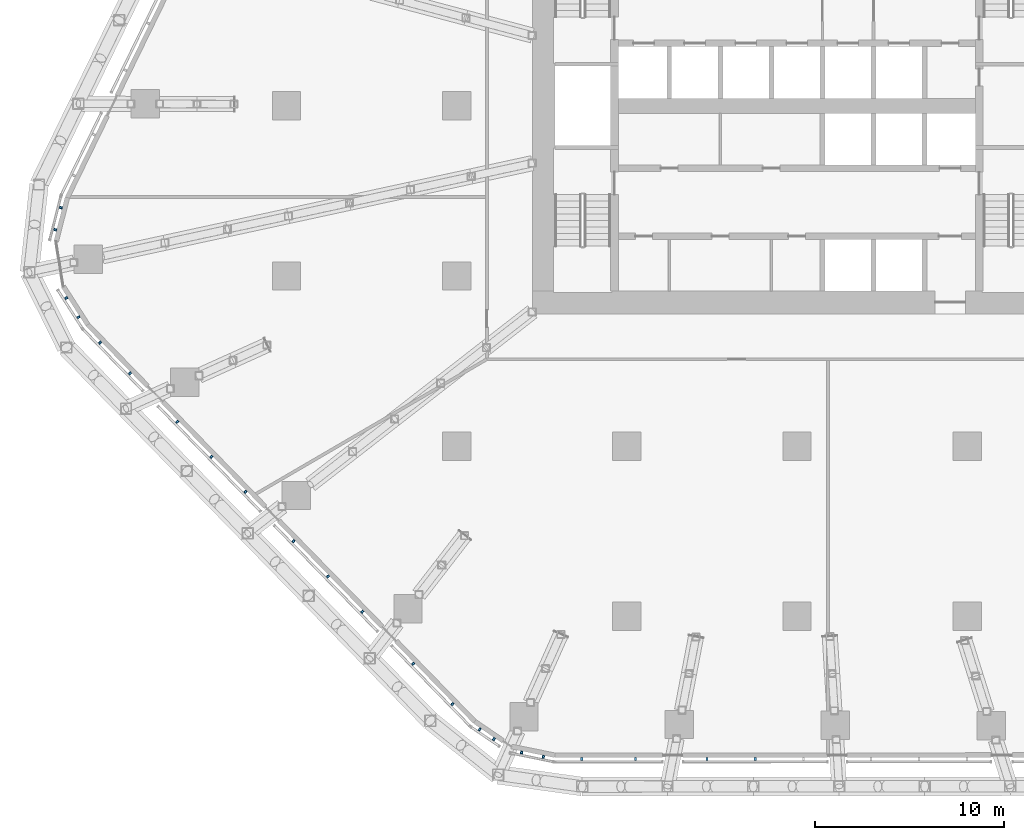
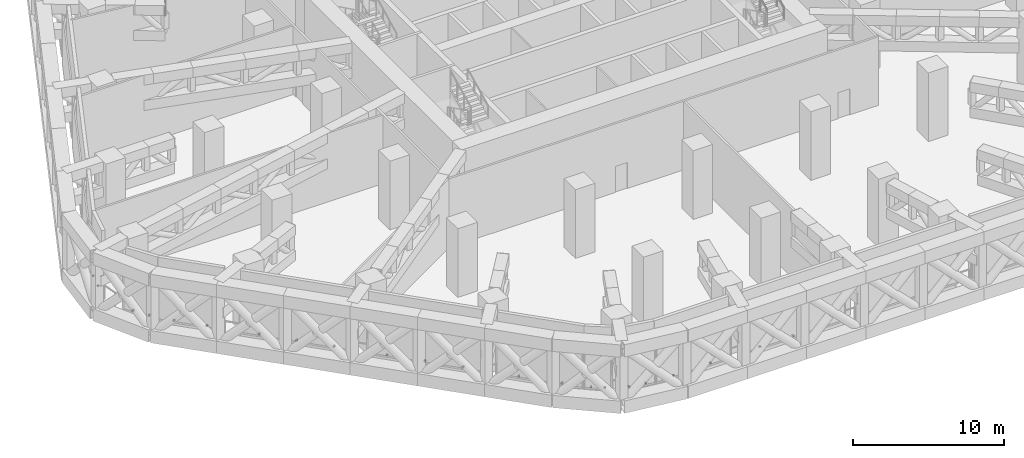
# One storey, part 24 of 38: 22 discrete accessories, 4 elements without a shape of their own.
"""IFC4 building model written with IfcOpenShell, lengths in metres."""

from ifc_helpers import new_model, si_unit, direction, frame, origin, origin_2d, place, context, subcontext, project, spatial, rectangle, extrude, material, layer, layer_set, type_object, element, aggregate, save


model = new_model("IFC4")

# Units and contexts
model_context = context("Model", 3, precision=1e-05, world=origin(), true_north=direction((0.0, 1.0)))
body_context = subcontext(model_context, "Body", "Model", "MODEL_VIEW")
ifc_project = project(units=[si_unit("LENGTHUNIT", "METRE"), si_unit("AREAUNIT", "SQUARE_METRE"), si_unit("VOLUMEUNIT", "CUBIC_METRE"), si_unit("PLANEANGLEUNIT", "RADIAN"), si_unit("MASSUNIT", "GRAM", prefix="KILO")], contexts=[model_context])

# Site, building, storey
site_placement = place(None, origin())
site = spatial("IfcSite", under=ifc_project, at=site_placement, CompositionType="ELEMENT")
building_placement = place(site_placement, origin())
building = spatial("IfcBuilding", under=site, at=building_placement, Name="Dongbaek Canopy Tower", CompositionType="ELEMENT")
storey_placement = place(building_placement, frame((0.0, 0.0, 89.199951171875)))
storey = spatial("IfcBuildingStorey", under=building, at=storey_placement, Name="L18", CompositionType="ELEMENT", Elevation=89.199951171875)

# Curtain wall, discrete accessories
ifc_material_1 = material(Name="Aluminium 6063-T6 pale anodised", Category="aluminium")
ifc_layer = layer(ifc_material_1, 0.14990234375)
ifc_layer_set = layer_set([ifc_layer], Name="CW-7 louvre curtain wall")
curtain_wall_type = type_object("IfcCurtainWallType", Name="CW-7 louvre curtain wall", PredefinedType="NOTDEFINED", material=ifc_layer_set)
curtain_wall_1_placement = place(storey_placement, origin())
curtain_wall_1 = element("IfcCurtainWall", 1, at=curtain_wall_1_placement, inside=storey, type_object=curtain_wall_type, Name="CW-7 louvre wall L18 K3", PredefinedType="NOTDEFINED")
ifc_material_2 = material(Name="Galvanised steel S355 bracket", Category="steel")
discrete_accessory_type = type_object("IfcDiscreteAccessoryType", Name="Louvre bracket BR1", PredefinedType="BRACKET", material=ifc_material_2)
discrete_accessory_1_placement = place(storey_placement, frame((-38.93115234375, -5.38818359375, 0.6650390625), z_axis=(0.0, 0.0, 1.0), x_axis=(-0.246731155393, -0.969083967961, 0.0)))
discrete_accessory_1 = element("IfcDiscreteAccessory", 2, at=discrete_accessory_1_placement, type_object=discrete_accessory_type, Name="Louvre bracket L18 K3.1.1", PredefinedType="BRACKET", context=body_context, shape_type="SweptSolid", body=[
    extrude(rectangle(XDim=0.1201171875, YDim=0.14990234375, at=origin_2d()), origin(), (0.0, 0.0, 1.0), 0.10009765625),
])
discrete_accessory_2_placement = place(storey_placement, frame((-39.227783203125, -6.553466796875, 0.6650390625), z_axis=(0.0, 0.0, 1.0), x_axis=(-0.246731155393, -0.969083967961, 0.0)))
discrete_accessory_2 = element("IfcDiscreteAccessory", 3, at=discrete_accessory_2_placement, type_object=discrete_accessory_type, Name="Louvre bracket L18 K3.1.2", PredefinedType="BRACKET", context=body_context, shape_type="SweptSolid", body=[
    extrude(rectangle(XDim=0.1201171875, YDim=0.14990234375, at=origin_2d()), origin(), (0.0, 0.0, 1.0), 0.10009765625),
])
discrete_accessory_3_placement = place(storey_placement, frame((-38.646728515625, -10.164306640625, 0.6650390625), z_axis=(0.0, 0.0, 1.0), x_axis=(0.538302881917, -0.8427514505, 0.0)))
discrete_accessory_3 = element("IfcDiscreteAccessory", 4, at=discrete_accessory_3_placement, type_object=discrete_accessory_type, Name="Louvre bracket L18 K3.2.1", PredefinedType="BRACKET", context=body_context, shape_type="SweptSolid", body=[
    extrude(rectangle(XDim=0.1201171875, YDim=0.14990234375, at=origin_2d()), origin(), (0.0, 0.0, 1.0), 0.10009765625),
])
discrete_accessory_4_placement = place(storey_placement, frame((-37.99951171875, -11.177734375, 0.6650390625), z_axis=(0.0, 0.0, 1.0), x_axis=(0.538302881917, -0.8427514505, 0.0)))
discrete_accessory_4 = element("IfcDiscreteAccessory", 5, at=discrete_accessory_4_placement, type_object=discrete_accessory_type, Name="Louvre bracket L18 K3.2.2", PredefinedType="BRACKET", context=body_context, shape_type="SweptSolid", body=[
    extrude(rectangle(XDim=0.1201171875, YDim=0.14990234375, at=origin_2d()), origin(), (0.0, 0.0, 1.0), 0.10009765625),
])
aggregate(curtain_wall_1, [discrete_accessory_1, discrete_accessory_2, discrete_accessory_3, discrete_accessory_4])

curtain_wall_2_placement = place(storey_placement, origin())
curtain_wall_2 = element("IfcCurtainWall", 6, at=curtain_wall_2_placement, inside=storey, type_object=curtain_wall_type, Name="CW-7 louvre wall L18 F3", PredefinedType="NOTDEFINED")
discrete_accessory_5_placement = place(storey_placement, frame((-36.859130859375, -12.52783203125, 0.6650390625), z_axis=(0.0, 0.0, 1.0), x_axis=(0.698181284581, -0.715921010909, 0.0)))
discrete_accessory_5 = element("IfcDiscreteAccessory", 7, at=discrete_accessory_5_placement, type_object=discrete_accessory_type, Name="Louvre bracket L18 F3.1.1", PredefinedType="BRACKET", context=body_context, shape_type="SweptSolid", body=[
    extrude(rectangle(XDim=0.1201171875, YDim=0.14990234375, at=origin_2d()), origin(), (0.0, 0.0, 1.0), 0.10009765625),
])
discrete_accessory_6_placement = place(storey_placement, frame((-35.276611328125, -14.150634765625, 0.6650390625), z_axis=(0.0, 0.0, 1.0), x_axis=(0.698181284581, -0.715921010909, 0.0)))
discrete_accessory_6 = element("IfcDiscreteAccessory", 8, at=discrete_accessory_6_placement, type_object=discrete_accessory_type, Name="Louvre bracket L18 F3.1.2", PredefinedType="BRACKET", context=body_context, shape_type="SweptSolid", body=[
    extrude(rectangle(XDim=0.1201171875, YDim=0.14990234375, at=origin_2d()), origin(), (0.0, 0.0, 1.0), 0.10009765625),
])
discrete_accessory_7_placement = place(storey_placement, frame((-32.777099609375, -16.713623046875, 0.6650390625), z_axis=(0.0, 0.0, 1.0), x_axis=(0.698181284581, -0.715921010909, 0.0)))
discrete_accessory_7 = element("IfcDiscreteAccessory", 9, at=discrete_accessory_7_placement, type_object=discrete_accessory_type, Name="Louvre bracket L18 F3.2.1", PredefinedType="BRACKET", context=body_context, shape_type="SweptSolid", body=[
    extrude(rectangle(XDim=0.1201171875, YDim=0.14990234375, at=origin_2d()), origin(), (0.0, 0.0, 1.0), 0.10009765625),
])
discrete_accessory_8_placement = place(storey_placement, frame((-30.972900390625, -18.563720703125, 0.6650390625), z_axis=(0.0, 0.0, 1.0), x_axis=(0.698181284581, -0.715921010909, 0.0)))
discrete_accessory_8 = element("IfcDiscreteAccessory", 10, at=discrete_accessory_8_placement, type_object=discrete_accessory_type, Name="Louvre bracket L18 F3.2.2", PredefinedType="BRACKET", context=body_context, shape_type="SweptSolid", body=[
    extrude(rectangle(XDim=0.1201171875, YDim=0.14990234375, at=origin_2d()), origin(), (0.0, 0.0, 1.0), 0.10009765625),
])
discrete_accessory_9_placement = place(storey_placement, frame((-29.16845703125, -20.413818359375, 0.6650390625), z_axis=(0.0, 0.0, 1.0), x_axis=(0.698181284581, -0.715921010909, 0.0)))
discrete_accessory_9 = element("IfcDiscreteAccessory", 11, at=discrete_accessory_9_placement, type_object=discrete_accessory_type, Name="Louvre bracket L18 F3.2.3", PredefinedType="BRACKET", context=body_context, shape_type="SweptSolid", body=[
    extrude(rectangle(XDim=0.1201171875, YDim=0.14990234375, at=origin_2d()), origin(), (0.0, 0.0, 1.0), 0.10009765625),
])
discrete_accessory_10_placement = place(storey_placement, frame((-26.625, -23.02197265625, 0.6650390625), z_axis=(0.0, 0.0, 1.0), x_axis=(0.698181284581, -0.715921010909, 0.0)))
discrete_accessory_10 = element("IfcDiscreteAccessory", 12, at=discrete_accessory_10_placement, type_object=discrete_accessory_type, Name="Louvre bracket L18 F3.3.1", PredefinedType="BRACKET", context=body_context, shape_type="SweptSolid", body=[
    extrude(rectangle(XDim=0.1201171875, YDim=0.14990234375, at=origin_2d()), origin(), (0.0, 0.0, 1.0), 0.10009765625),
])
discrete_accessory_11_placement = place(storey_placement, frame((-24.804931640625, -24.88818359375, 0.6650390625), z_axis=(0.0, 0.0, 1.0), x_axis=(0.698181284581, -0.715921010909, 0.0)))
discrete_accessory_11 = element("IfcDiscreteAccessory", 13, at=discrete_accessory_11_placement, type_object=discrete_accessory_type, Name="Louvre bracket L18 F3.3.2", PredefinedType="BRACKET", context=body_context, shape_type="SweptSolid", body=[
    extrude(rectangle(XDim=0.1201171875, YDim=0.14990234375, at=origin_2d()), origin(), (0.0, 0.0, 1.0), 0.10009765625),
])
discrete_accessory_12_placement = place(storey_placement, frame((-22.98486328125, -26.754638671875, 0.6650390625), z_axis=(0.0, 0.0, 1.0), x_axis=(0.698181284581, -0.715921010909, 0.0)))
discrete_accessory_12 = element("IfcDiscreteAccessory", 14, at=discrete_accessory_12_placement, type_object=discrete_accessory_type, Name="Louvre bracket L18 F3.3.3", PredefinedType="BRACKET", context=body_context, shape_type="SweptSolid", body=[
    extrude(rectangle(XDim=0.1201171875, YDim=0.14990234375, at=origin_2d()), origin(), (0.0, 0.0, 1.0), 0.10009765625),
])
discrete_accessory_13_placement = place(storey_placement, frame((-20.29736328125, -29.51025390625, 0.6650390625), z_axis=(0.0, 0.0, 1.0), x_axis=(0.698181284581, -0.715921010909, 0.0)))
discrete_accessory_13 = element("IfcDiscreteAccessory", 15, at=discrete_accessory_13_placement, type_object=discrete_accessory_type, Name="Louvre bracket L18 F3.4.1", PredefinedType="BRACKET", context=body_context, shape_type="SweptSolid", body=[
    extrude(rectangle(XDim=0.1201171875, YDim=0.14990234375, at=origin_2d()), origin(), (0.0, 0.0, 1.0), 0.10009765625),
])
discrete_accessory_14_placement = place(storey_placement, frame((-18.222412109375, -31.63818359375, 0.6650390625), z_axis=(0.0, 0.0, 1.0), x_axis=(0.698181284581, -0.715921010909, 0.0)))
discrete_accessory_14 = element("IfcDiscreteAccessory", 16, at=discrete_accessory_14_placement, type_object=discrete_accessory_type, Name="Louvre bracket L18 F3.4.2", PredefinedType="BRACKET", context=body_context, shape_type="SweptSolid", body=[
    extrude(rectangle(XDim=0.1201171875, YDim=0.14990234375, at=origin_2d()), origin(), (0.0, 0.0, 1.0), 0.10009765625),
])
aggregate(curtain_wall_2, [discrete_accessory_5, discrete_accessory_6, discrete_accessory_7, discrete_accessory_8, discrete_accessory_9, discrete_accessory_10, discrete_accessory_11, discrete_accessory_12, discrete_accessory_13, discrete_accessory_14])

curtain_wall_3_placement = place(storey_placement, origin())
curtain_wall_3 = element("IfcCurtainWall", 17, at=curtain_wall_3_placement, inside=storey, type_object=curtain_wall_type, Name="CW-7 louvre wall L18 K4", PredefinedType="NOTDEFINED")
discrete_accessory_15_placement = place(storey_placement, frame((-16.779052734375, -32.9833984375, 0.6650390625), z_axis=(0.0, 0.0, 1.0), x_axis=(0.826279799797, -0.563259880027, 0.0)))
discrete_accessory_15 = element("IfcDiscreteAccessory", 18, at=discrete_accessory_15_placement, type_object=discrete_accessory_type, Name="Louvre bracket L18 K4.1.1", PredefinedType="BRACKET", context=body_context, shape_type="SweptSolid", body=[
    extrude(rectangle(XDim=0.1201171875, YDim=0.14990234375, at=origin_2d()), origin(), (0.0, 0.0, 1.0), 0.10009765625),
])
discrete_accessory_16_placement = place(storey_placement, frame((-16.02880859375, -33.494873046875, 0.6650390625), z_axis=(0.0, 0.0, 1.0), x_axis=(0.826279799797, -0.563259880027, 0.0)))
discrete_accessory_16 = element("IfcDiscreteAccessory", 19, at=discrete_accessory_16_placement, type_object=discrete_accessory_type, Name="Louvre bracket L18 K4.1.2", PredefinedType="BRACKET", context=body_context, shape_type="SweptSolid", body=[
    extrude(rectangle(XDim=0.1201171875, YDim=0.14990234375, at=origin_2d()), origin(), (0.0, 0.0, 1.0), 0.10009765625),
])
discrete_accessory_17_placement = place(storey_placement, frame((-14.564208984375, -34.19775390625, 0.6650390625), z_axis=(0.0, 0.0, 1.0), x_axis=(0.980246454799, -0.197779897497, 0.0)))
discrete_accessory_17 = element("IfcDiscreteAccessory", 20, at=discrete_accessory_17_placement, type_object=discrete_accessory_type, Name="Louvre bracket L18 K4.2.1", PredefinedType="BRACKET", context=body_context, shape_type="SweptSolid", body=[
    extrude(rectangle(XDim=0.1201171875, YDim=0.14990234375, at=origin_2d()), origin(), (0.0, 0.0, 1.0), 0.10009765625),
])
discrete_accessory_18_placement = place(storey_placement, frame((-13.412841796875, -34.43017578125, 0.6650390625), z_axis=(0.0, 0.0, 1.0), x_axis=(0.980246454799, -0.197779897497, 0.0)))
discrete_accessory_18 = element("IfcDiscreteAccessory", 21, at=discrete_accessory_18_placement, type_object=discrete_accessory_type, Name="Louvre bracket L18 K4.2.2", PredefinedType="BRACKET", context=body_context, shape_type="SweptSolid", body=[
    extrude(rectangle(XDim=0.1201171875, YDim=0.14990234375, at=origin_2d()), origin(), (0.0, 0.0, 1.0), 0.10009765625),
])
aggregate(curtain_wall_3, [discrete_accessory_15, discrete_accessory_16, discrete_accessory_17, discrete_accessory_18])

curtain_wall_4_placement = place(storey_placement, origin())
curtain_wall_4 = element("IfcCurtainWall", 22, at=curtain_wall_4_placement, inside=storey, type_object=curtain_wall_type, Name="CW-7 louvre wall L18 F4", PredefinedType="NOTDEFINED")
discrete_accessory_19_placement = place(storey_placement, frame((-11.37646484375, -34.549560546875, 0.6650390625), z_axis=(0.0, 0.0, 1.0), x_axis=(0.999999862689, 0.000524044387, 0.0)))
discrete_accessory_19 = element("IfcDiscreteAccessory", 23, at=discrete_accessory_19_placement, type_object=discrete_accessory_type, Name="Louvre bracket L18 F4.1.1", PredefinedType="BRACKET", context=body_context, shape_type="SweptSolid", body=[
    extrude(rectangle(XDim=0.1201171875, YDim=0.14990234375, at=origin_2d()), origin(), (0.0, 0.0, 1.0), 0.10009765625),
])
discrete_accessory_20_placement = place(storey_placement, frame((-8.5341796875, -34.548095703125, 0.6650390625), z_axis=(0.0, 0.0, 1.0), x_axis=(0.999999862689, 0.000524044387, 0.0)))
discrete_accessory_20 = element("IfcDiscreteAccessory", 24, at=discrete_accessory_20_placement, type_object=discrete_accessory_type, Name="Louvre bracket L18 F4.1.2", PredefinedType="BRACKET", context=body_context, shape_type="SweptSolid", body=[
    extrude(rectangle(XDim=0.1201171875, YDim=0.14990234375, at=origin_2d()), origin(), (0.0, 0.0, 1.0), 0.10009765625),
])
discrete_accessory_21_placement = place(storey_placement, frame((-4.756103515625, -34.546142578125, 0.6650390625), z_axis=(0.0, 0.0, 1.0), x_axis=(0.999999862689, 0.000524044387, 0.0)))
discrete_accessory_21 = element("IfcDiscreteAccessory", 25, at=discrete_accessory_21_placement, type_object=discrete_accessory_type, Name="Louvre bracket L18 F4.2.1", PredefinedType="BRACKET", context=body_context, shape_type="SweptSolid", body=[
    extrude(rectangle(XDim=0.1201171875, YDim=0.14990234375, at=origin_2d()), origin(), (0.0, 0.0, 1.0), 0.10009765625),
])
discrete_accessory_22_placement = place(storey_placement, frame((-2.20361328125, -34.544677734375, 0.6650390625), z_axis=(0.0, 0.0, 1.0), x_axis=(0.999999862689, 0.000524044387, 0.0)))
discrete_accessory_22 = element("IfcDiscreteAccessory", 26, at=discrete_accessory_22_placement, type_object=discrete_accessory_type, Name="Louvre bracket L18 F4.2.2", PredefinedType="BRACKET", context=body_context, shape_type="SweptSolid", body=[
    extrude(rectangle(XDim=0.1201171875, YDim=0.14990234375, at=origin_2d()), origin(), (0.0, 0.0, 1.0), 0.10009765625),
])
aggregate(curtain_wall_4, [discrete_accessory_19, discrete_accessory_20, discrete_accessory_21, discrete_accessory_22])

save(model, "model.ifc")
